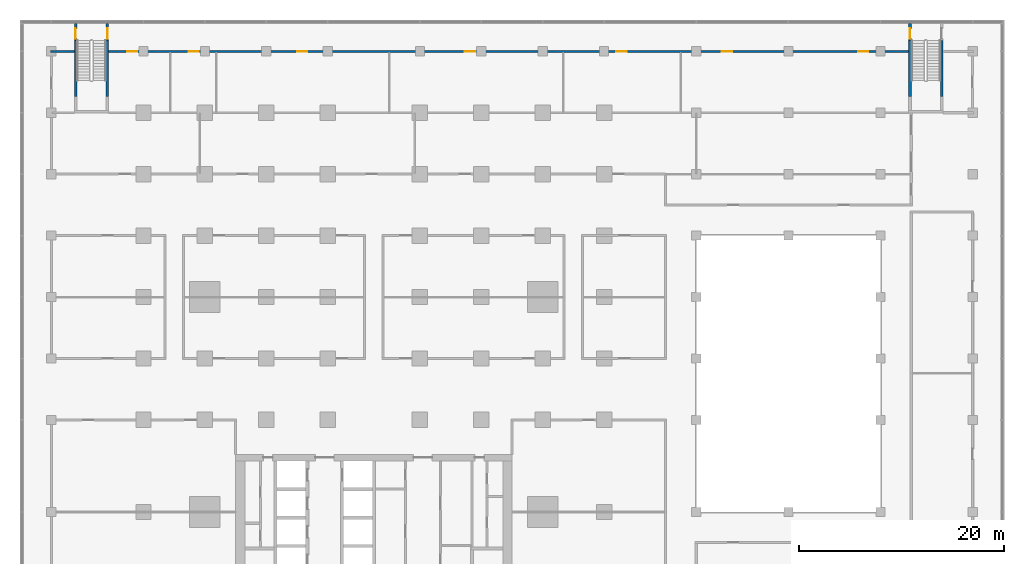
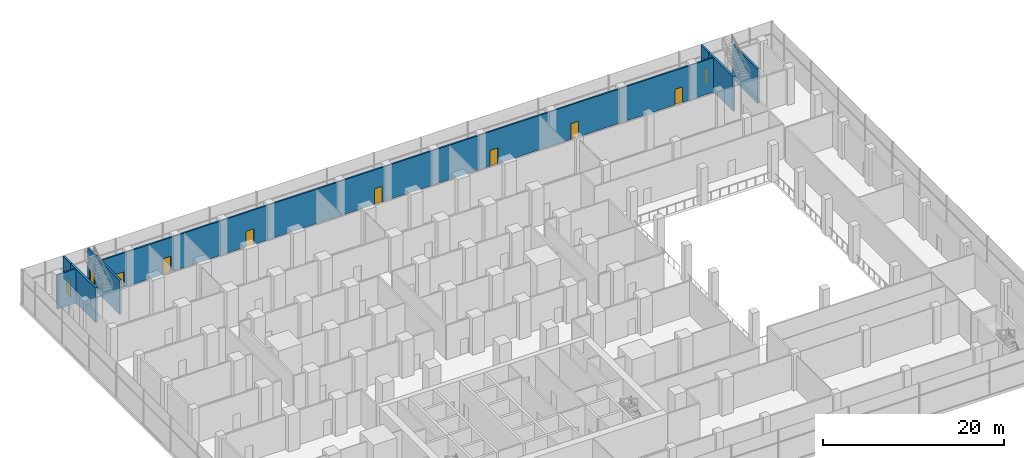
# One storey, part 18 of 22: 10 doors, 9 walls, 10 openings.
"""IFC4 building model written with IfcOpenShell, lengths in metres."""

import ifcopenshell
import ifcopenshell.guid

model = None  # the IFC model being written
_history = None  # IfcOwnerHistory: only IFC2X3 demands one
_inside = {}  # id of a spatial element -> (the spatial element, [elements in it])
_under = {}  # id of a project, library or spatial element -> (it, [spatial elements below it])
_declared = {}  # id of a project -> (the project, [libraries it declares])
_typed = {}  # id of a type object -> (the type object, [elements of that type])
_made_of = {}  # id of a material, layer set ... -> (it, [elements and type objects made of it])


def new_model(schema):
    """Start an empty IFC model of exactly this schema.

    Asked for "IFC4X3", IfcOpenShell would pick the latest addendum, in which some entities
    have other attributes; the version numbers below select the first issue.
    IFC2X3 requires an IfcOwnerHistory on every rooted entity: one is made here for all.
    """
    global model, _history
    if schema == "IFC4X3":
        model = ifcopenshell.file(schema_version=(4, 3, 0, 0))
    else:
        model = ifcopenshell.file(schema=schema)
    _inside.clear()
    _under.clear()
    _declared.clear()
    _typed.clear()
    _made_of.clear()
    _history = None
    if model.schema == "IFC2X3":
        org = make("IfcOrganization", Name="unknown")
        user = make(
            "IfcPersonAndOrganization",
            ThePerson=make("IfcPerson", FamilyName="unknown"),
            TheOrganization=org,
        )
        app = make(
            "IfcApplication",
            ApplicationDeveloper=org,
            Version="unknown",
            ApplicationFullName="unknown",
            ApplicationIdentifier="unknown",
        )
        _history = make(
            "IfcOwnerHistory",
            OwningUser=user,
            OwningApplication=app,
            ChangeAction="ADDED",
            CreationDate=0,
        )
    return model


def make(cls, **values):
    """One entity of the class cls with the attributes given. An attribute that is None is left unset."""
    return model.create_entity(
        cls, **{name: value for name, value in values.items() if value is not None}
    )


def rooted(cls, **values):
    """An entity with a GlobalId (a new one), such as an element, a storey or a relation."""
    return make(cls, GlobalId=ifcopenshell.guid.new(), OwnerHistory=_history, **values)


def si_unit(unit_type, name, prefix=None):
    """IfcSIUnit, for example si_unit("LENGTHUNIT", "METRE", prefix="MILLI")."""
    return make("IfcSIUnit", UnitType=unit_type, Prefix=prefix, Name=name)


def assignment(units):
    """IfcUnitAssignment: the units of a project."""
    return None if units is None else make("IfcUnitAssignment", Units=units)


def point(xyz):
    """IfcCartesianPoint."""
    return None if xyz is None else make("IfcCartesianPoint", Coordinates=xyz)


def direction(xyz):
    """IfcDirection."""
    return None if xyz is None else make("IfcDirection", DirectionRatios=xyz)


def frame(location, z_axis=None, x_axis=None):
    """IfcAxis2Placement3D, a coordinate frame: its origin and axes. An axis left out is left unset."""
    return make(
        "IfcAxis2Placement3D",
        Location=point(location),
        Axis=direction(z_axis),
        RefDirection=direction(x_axis),
    )


def frame_2d(location, x_axis=None):
    """IfcAxis2Placement2D, a coordinate frame in the plane: its origin and x axis."""
    return make(
        "IfcAxis2Placement2D", Location=point(location), RefDirection=direction(x_axis)
    )


def origin():
    """The frame at (0, 0, 0) with its axes left unset."""
    return frame((0.0, 0.0, 0.0))


def place(relative_to, where):
    """IfcLocalPlacement: puts the frame where relative to a parent placement (None: the world)."""
    return make(
        "IfcLocalPlacement", PlacementRelTo=relative_to, RelativePlacement=where
    )


def context(
    kind, dimensions, precision=None, world=None, true_north=None, identifier=None
):
    """IfcGeometricRepresentationContext, for example the 3D "Model" context."""
    return make(
        "IfcGeometricRepresentationContext",
        ContextIdentifier=identifier,
        ContextType=kind,
        CoordinateSpaceDimension=dimensions,
        Precision=precision,
        WorldCoordinateSystem=world,
        TrueNorth=true_north,
    )


def subcontext(parent, identifier, kind, view, scale=None):
    """IfcGeometricRepresentationSubContext, for example "Body" below "Model"."""
    return make(
        "IfcGeometricRepresentationSubContext",
        ContextIdentifier=identifier,
        ContextType=kind,
        ParentContext=parent,
        TargetScale=scale,
        TargetView=view,
    )


def project(units=None, contexts=None):
    """IfcProject with its units and contexts."""
    return rooted(
        "IfcProject",
        Name="project",
        RepresentationContexts=contexts,
        UnitsInContext=assignment(units),
    )


def spatial(cls, under=None, at=None, **own):
    """A site, building, storey or space (cls), placed at a placement, below another one or the project."""
    s = rooted(cls, ObjectPlacement=at, **own)
    if under is not None:
        _under.setdefault(under.id(), (under, []))[1].append(s)
    return s


def profile(cls, at=None, kind="AREA", **sizes):
    """A parametric profile (cls). Its sizes go by their IFC names, for example OverallWidth=200.0."""
    return make(cls, ProfileType=kind, Position=at, **sizes)


def rectangle(**sizes):
    """IfcRectangleProfileDef."""
    return profile("IfcRectangleProfileDef", **sizes)


def extrude(swept, where, along, depth):
    """IfcExtrudedAreaSolid: the profile swept, set in the frame where, extruded along a direction by depth."""
    return make(
        "IfcExtrudedAreaSolid",
        SweptArea=swept,
        Position=where,
        ExtrudedDirection=direction(along),
        Depth=depth,
    )


def shape(context_of_items, identifier, shape_type, items):
    """IfcShapeRepresentation: the items that make up one representation, for example the "Body"."""
    return make(
        "IfcShapeRepresentation",
        ContextOfItems=context_of_items,
        RepresentationIdentifier=identifier,
        RepresentationType=shape_type,
        Items=items,
    )


def material(Name=None, Category=None):
    """IfcMaterial."""
    return make("IfcMaterial", Name=Name, Category=Category)


def layer(
    of_material, thickness, ventilated=None, Name=None, Category=None, Priority=None
):
    """IfcMaterialLayer: one layer of a wall or slab, of a material (None: an air gap)."""
    return make(
        "IfcMaterialLayer",
        Material=of_material,
        LayerThickness=thickness,
        IsVentilated=ventilated,
        Name=Name,
        Category=Category,
        Priority=Priority,
    )


def layer_set(layers, Name=None):
    """IfcMaterialLayerSet."""
    return make("IfcMaterialLayerSet", MaterialLayers=layers, LayerSetName=Name)


def made_of(thing, what):
    """Note that an element or type object is made of a material, layer set ...; save() writes the relation."""
    if what is not None:
        _made_of.setdefault(what.id(), (what, []))[1].append(thing)
    return thing


def type_object(cls, material=None, **own):
    """A type object (cls), such as IfcWallType, which elements share."""
    return made_of(rooted(cls, **own), material)


def element(
    cls,
    number,
    at=None,
    inside=None,
    cuts=None,
    type_object=None,
    material=None,
    context=None,
    identifier="Body",
    shape_type=None,
    held_by="IfcProductDefinitionShape",
    body=None,
    shapes=None,
    **own,
):
    """One element of the class cls, such as IfcWall. Its Tag is "e" and its number.

    at: its placement. inside: the storey or other place that contains it. cuts: it is an
    opening in that element (IfcRelVoidsElement). A single representation is given by context,
    identifier, shape_type and body (its items); several are given by shapes. held_by: the class
    of the entity that holds the representations. save() writes the other relations.
    """
    e = rooted(cls, Tag="e%d" % number, ObjectPlacement=at, **own)
    if body is not None:
        shapes = [shape(context, identifier, shape_type, body)]
    if shapes is not None:
        e.Representation = make(held_by, Representations=shapes)
    if inside is not None:
        _inside.setdefault(inside.id(), (inside, []))[1].append(e)
    if cuts is not None:
        rooted(
            "IfcRelVoidsElement", RelatingBuildingElement=cuts, RelatedOpeningElement=e
        )
    if type_object is not None:
        _typed.setdefault(type_object.id(), (type_object, []))[1].append(e)
    return made_of(e, material)


def fill(opening, filler):
    """IfcRelFillsElement: the door or window that sits in an opening."""
    return rooted(
        "IfcRelFillsElement",
        RelatingOpeningElement=opening,
        RelatedBuildingElement=filler,
    )


def aggregate(whole, parts):
    """IfcRelAggregates: a whole, such as a stair, and the parts it consists of."""
    return rooted("IfcRelAggregates", RelatingObject=whole, RelatedObjects=parts)


def save(model, path):
    """Write the relations noted so far, then the file.

    IfcRelAggregates (storeys below a building ...), IfcRelContainedInSpatialStructure (elements
    in a storey), IfcRelDefinesByType, IfcRelAssociatesMaterial and IfcRelDeclares: one each for
    every whole, place, type object, material and project.
    """
    for whole, parts in _under.values():
        aggregate(whole, parts)
    for where, things in _inside.values():
        rooted(
            "IfcRelContainedInSpatialStructure",
            RelatedElements=things,
            RelatingStructure=where,
        )
    for kind, things in _typed.values():
        rooted("IfcRelDefinesByType", RelatedObjects=things, RelatingType=kind)
    for what, things in _made_of.values():
        rooted("IfcRelAssociatesMaterial", RelatedObjects=things, RelatingMaterial=what)
    for by, libraries in _declared.values():
        rooted("IfcRelDeclares", RelatingContext=by, RelatedDefinitions=libraries)
    model.write(path)


model = new_model("IFC4")

# Units and contexts
model_context = context("Model", 3, precision=1e-05, world=origin(), true_north=direction((0.0, 1.0)))
body_context = subcontext(model_context, "Body", "Model", "MODEL_VIEW")
ifc_project = project(units=[si_unit("LENGTHUNIT", "METRE"), si_unit("AREAUNIT", "SQUARE_METRE"), si_unit("VOLUMEUNIT", "CUBIC_METRE"), si_unit("PLANEANGLEUNIT", "RADIAN"), si_unit("MASSUNIT", "GRAM", prefix="KILO")], contexts=[model_context])

# Site, building, storey
site_placement = place(None, origin())
site = spatial("IfcSite", under=ifc_project, at=site_placement, CompositionType="ELEMENT")
building_placement = place(site_placement, origin())
building = spatial("IfcBuilding", under=site, at=building_placement, Name="Finial Court Residences", CompositionType="ELEMENT")
storey_placement = place(building_placement, frame((0.0, 0.0, 18.5)))
storey = spatial("IfcBuildingStorey", under=building, at=storey_placement, Name="L03", CompositionType="ELEMENT", Elevation=18.5)

# Wall
ifc_material_1 = material(Name="Gypsum board")
ifc_layer_1 = layer(ifc_material_1, 0.02490234375)
ifc_material_2 = material(Name="Acoustic mineral wool in double frame")
ifc_layer_2 = layer(ifc_material_2, 0.14990234375)
ifc_layer_3 = layer(ifc_material_1, 0.02490234375)
ifc_layer_set_1 = layer_set([ifc_layer_1, ifc_layer_2, ifc_layer_3], Name="Corridor wall 200, 1 hour")
wall_type_1 = type_object("IfcWallType", Name="Corridor wall 200, 1 hour", PredefinedType="PARTITIONING", material=ifc_layer_set_1)
wall_1_placement = place(storey_placement, frame((-31.60009765625, 31.5, 0.0), z_axis=(0.0, 0.0, 1.0), x_axis=(1.0, 0.0, 0.0)))
element("IfcWall", 1, at=wall_1_placement, inside=storey, type_object=wall_type_1, Name="Partition L03-037", PredefinedType="PARTITIONING", context=body_context, shape_type="SweptSolid", body=[
    extrude(rectangle(XDim=2.35009765625, YDim=0.199951171875, at=frame_2d((1.175048828125, 0.0))), origin(), (0.0, 0.0, 1.0), 4.64990234375),
])

# Wall, openings, doors
wall_2_placement = place(storey_placement, frame((-25.89990234375, 31.5, 0.0), z_axis=(0.0, 0.0, 1.0), x_axis=(1.0, 0.0, 0.0)))
wall_2 = element("IfcWall", 2, at=wall_2_placement, inside=storey, type_object=wall_type_1, Name="Partition L03-038", PredefinedType="PARTITIONING", context=body_context, shape_type="SweptSolid", body=[
    extrude(rectangle(XDim=78.14990234375, YDim=0.199951171875, at=frame_2d((39.074951171875, 0.0))), origin(), (0.0, 0.0, 1.0), 4.64990234375),
])
opening_1_placement = place(wall_2_placement, frame((1.800048828125, 0.0, 0.0)))
opening_1 = element("IfcOpeningElement", 3, at=opening_1_placement, cuts=wall_2, Name="Opening L03-D035", PredefinedType="OPENING", context=body_context, shape_type="SweptSolid", body=[
    extrude(rectangle(XDim=1.0, YDim=2.10009765625, at=frame_2d((0.5, 1.050048828125))), frame((0.0, 0.10986328125, 0.0), z_axis=(0.0, -1.0, 0.0), x_axis=(1.0, 0.0, 0.0)), (0.0, 0.0, 1.0), 0.219970703125),
])
opening_2_placement = place(wall_2_placement, frame((7.800048828125, 0.0, 0.0)))
opening_2 = element("IfcOpeningElement", 4, at=opening_2_placement, cuts=wall_2, Name="Opening L03-D036", PredefinedType="OPENING", context=body_context, shape_type="SweptSolid", body=[
    extrude(rectangle(XDim=1.0, YDim=2.10009765625, at=frame_2d((0.5, 1.050048828125))), frame((0.0, 0.10986328125, 0.0), z_axis=(0.0, -1.0, 0.0), x_axis=(1.0, 0.0, 0.0)), (0.0, 0.0, 1.0), 0.219970703125),
])
opening_3_placement = place(wall_2_placement, frame((18.39990234375, 0.0, 0.0)))
opening_3 = element("IfcOpeningElement", 5, at=opening_3_placement, cuts=wall_2, Name="Opening L03-D037", PredefinedType="OPENING", context=body_context, shape_type="SweptSolid", body=[
    extrude(rectangle(XDim=1.0, YDim=2.10009765625, at=frame_2d((0.5, 1.050048828125))), frame((0.0, 0.10986328125, 0.0), z_axis=(0.0, -1.0, 0.0), x_axis=(1.0, 0.0, 0.0)), (0.0, 0.0, 1.0), 0.219970703125),
])
opening_4_placement = place(wall_2_placement, frame((34.800048828125, 0.0, 0.0)))
opening_4 = element("IfcOpeningElement", 6, at=opening_4_placement, cuts=wall_2, Name="Opening L03-D038", PredefinedType="OPENING", context=body_context, shape_type="SweptSolid", body=[
    extrude(rectangle(XDim=1.0, YDim=2.10009765625, at=frame_2d((0.5, 1.050048828125))), frame((0.0, 0.10986328125, 0.0), z_axis=(0.0, -1.0, 0.0), x_axis=(1.0, 0.0, 0.0)), (0.0, 0.0, 1.0), 0.219970703125),
])
opening_5_placement = place(wall_2_placement, frame((49.60009765625, 0.0, 0.0)))
opening_5 = element("IfcOpeningElement", 7, at=opening_5_placement, cuts=wall_2, Name="Opening L03-D039", PredefinedType="OPENING", context=body_context, shape_type="SweptSolid", body=[
    extrude(rectangle(XDim=1.0, YDim=2.10009765625, at=frame_2d((0.5, 1.050048828125))), frame((0.0, 0.10986328125, 0.0), z_axis=(0.0, -1.0, 0.0), x_axis=(1.0, 0.0, 0.0)), (0.0, 0.0, 1.0), 0.219970703125),
])
opening_6_placement = place(wall_2_placement, frame((59.89990234375, 0.0, 0.0)))
opening_6 = element("IfcOpeningElement", 8, at=opening_6_placement, cuts=wall_2, Name="Opening L03-D040", PredefinedType="OPENING", context=body_context, shape_type="SweptSolid", body=[
    extrude(rectangle(XDim=1.0, YDim=2.10009765625, at=frame_2d((0.5, 1.050048828125))), frame((0.0, 0.10986328125, 0.0), z_axis=(0.0, -1.0, 0.0), x_axis=(1.0, 0.0, 0.0)), (0.0, 0.0, 1.0), 0.219970703125),
])
opening_7_placement = place(wall_2_placement, frame((73.199951171875, 0.0, 0.0)))
opening_7 = element("IfcOpeningElement", 9, at=opening_7_placement, cuts=wall_2, Name="Opening L03-D041", PredefinedType="OPENING", context=body_context, shape_type="SweptSolid", body=[
    extrude(rectangle(XDim=1.0, YDim=2.10009765625, at=frame_2d((0.5, 1.050048828125))), frame((0.0, 0.10986328125, 0.0), z_axis=(0.0, -1.0, 0.0), x_axis=(1.0, 0.0, 0.0)), (0.0, 0.0, 1.0), 0.219970703125),
])
ifc_material_3 = material(Name="Timber door leaf in hollow metal frame", Category="wood")
door_type_1 = type_object("IfcDoorType", Name="Fire door set 1000 x 2100, 30 minutes", OperationType="SINGLE_SWING_LEFT", PredefinedType="DOOR", material=ifc_material_3)
door_1_placement = place(opening_1_placement, origin())
door_1 = element("IfcDoor", 10, at=door_1_placement, inside=storey, type_object=door_type_1, Name="Door L03-D035", OperationType="SINGLE_SWING_LEFT", OverallHeight=2.10009765625, OverallWidth=1.0, PredefinedType="DOOR", context=body_context, shape_type="SweptSolid", body=[
    extrude(rectangle(XDim=1.0, YDim=2.10009765625, at=frame_2d((0.5, 1.050048828125))), frame((0.0, 0.02490234375, 0.0), z_axis=(0.0, -1.0, 0.0), x_axis=(1.0, 0.0, 0.0)), (0.0, 0.0, 1.0), 0.050048828125),
])
fill(opening_1, door_1)
door_2_placement = place(opening_2_placement, origin())
door_2 = element("IfcDoor", 11, at=door_2_placement, inside=storey, type_object=door_type_1, Name="Door L03-D036", OperationType="SINGLE_SWING_LEFT", OverallHeight=2.10009765625, OverallWidth=1.0, PredefinedType="DOOR", context=body_context, shape_type="SweptSolid", body=[
    extrude(rectangle(XDim=1.0, YDim=2.10009765625, at=frame_2d((0.5, 1.050048828125))), frame((0.0, 0.02490234375, 0.0), z_axis=(0.0, -1.0, 0.0), x_axis=(1.0, 0.0, 0.0)), (0.0, 0.0, 1.0), 0.050048828125),
])
fill(opening_2, door_2)
door_3_placement = place(opening_3_placement, origin())
door_3 = element("IfcDoor", 12, at=door_3_placement, inside=storey, type_object=door_type_1, Name="Door L03-D037", OperationType="SINGLE_SWING_LEFT", OverallHeight=2.10009765625, OverallWidth=1.0, PredefinedType="DOOR", context=body_context, shape_type="SweptSolid", body=[
    extrude(rectangle(XDim=1.0, YDim=2.10009765625, at=frame_2d((0.5, 1.050048828125))), frame((0.0, 0.02490234375, 0.0), z_axis=(0.0, -1.0, 0.0), x_axis=(1.0, 0.0, 0.0)), (0.0, 0.0, 1.0), 0.050048828125),
])
fill(opening_3, door_3)
door_4_placement = place(opening_4_placement, origin())
door_4 = element("IfcDoor", 13, at=door_4_placement, inside=storey, type_object=door_type_1, Name="Door L03-D038", OperationType="SINGLE_SWING_LEFT", OverallHeight=2.10009765625, OverallWidth=1.0, PredefinedType="DOOR", context=body_context, shape_type="SweptSolid", body=[
    extrude(rectangle(XDim=1.0, YDim=2.10009765625, at=frame_2d((0.5, 1.050048828125))), frame((0.0, 0.02490234375, 0.0), z_axis=(0.0, -1.0, 0.0), x_axis=(1.0, 0.0, 0.0)), (0.0, 0.0, 1.0), 0.050048828125),
])
fill(opening_4, door_4)
door_5_placement = place(opening_5_placement, origin())
door_5 = element("IfcDoor", 14, at=door_5_placement, inside=storey, type_object=door_type_1, Name="Door L03-D039", OperationType="SINGLE_SWING_RIGHT", OverallHeight=2.10009765625, OverallWidth=1.0, PredefinedType="DOOR", context=body_context, shape_type="SweptSolid", body=[
    extrude(rectangle(XDim=1.0, YDim=2.10009765625, at=frame_2d((0.5, 1.050048828125))), frame((0.0, 0.02490234375, 0.0), z_axis=(0.0, -1.0, 0.0), x_axis=(1.0, 0.0, 0.0)), (0.0, 0.0, 1.0), 0.050048828125),
])
fill(opening_5, door_5)
door_6_placement = place(opening_6_placement, origin())
door_6 = element("IfcDoor", 15, at=door_6_placement, inside=storey, type_object=door_type_1, Name="Door L03-D040", OperationType="SINGLE_SWING_RIGHT", OverallHeight=2.10009765625, OverallWidth=1.0, PredefinedType="DOOR", context=body_context, shape_type="SweptSolid", body=[
    extrude(rectangle(XDim=1.0, YDim=2.10009765625, at=frame_2d((0.5, 1.050048828125))), frame((0.0, 0.02490234375, 0.0), z_axis=(0.0, -1.0, 0.0), x_axis=(1.0, 0.0, 0.0)), (0.0, 0.0, 1.0), 0.050048828125),
])
fill(opening_6, door_6)
door_7_placement = place(opening_7_placement, origin())
door_7 = element("IfcDoor", 16, at=door_7_placement, inside=storey, type_object=door_type_1, Name="Door L03-D041", OperationType="SINGLE_SWING_RIGHT", OverallHeight=2.10009765625, OverallWidth=1.0, PredefinedType="DOOR", context=body_context, shape_type="SweptSolid", body=[
    extrude(rectangle(XDim=1.0, YDim=2.10009765625, at=frame_2d((0.5, 1.050048828125))), frame((0.0, 0.02490234375, 0.0), z_axis=(0.0, -1.0, 0.0), x_axis=(1.0, 0.0, 0.0)), (0.0, 0.0, 1.0), 0.050048828125),
])
fill(opening_7, door_7)

# Wall, opening, door
ifc_material_4 = material(Name="Concrete C50/60", Category="concrete")
ifc_layer_4 = layer(ifc_material_4, 0.25)
ifc_layer_set_2 = layer_set([ifc_layer_4], Name="Stair enclosure wall 250 Concrete C50/60")
wall_type_2 = type_object("IfcWallType", Name="Stair enclosure wall 250 Concrete C50/60", PredefinedType="SHEAR", material=ifc_layer_set_2)
wall_3_placement = place(storey_placement, frame((52.375, 34.239990234375, 0.0), z_axis=(0.0, 0.0, 1.0), x_axis=(0.0, -1.0, 0.0)))
wall_3 = element("IfcWall", 17, at=wall_3_placement, inside=storey, type_object=wall_type_2, Name="Exit Stair 5 enclosure wall L03-W1", PredefinedType="SHEAR", context=body_context, shape_type="SweptSolid", body=[
    extrude(rectangle(XDim=1.68994140625, YDim=0.25, at=frame_2d((0.844970703125, 0.0))), origin(), (0.0, 0.0, 1.0), 4.64990234375),
])
opening_8_placement = place(wall_3_placement, frame((0.489990234375, 0.0, 0.0)))
opening_8 = element("IfcOpeningElement", 18, at=opening_8_placement, cuts=wall_3, Name="Opening L03-S5", PredefinedType="OPENING", context=body_context, shape_type="SweptSolid", body=[
    extrude(rectangle(XDim=1.0, YDim=2.10009765625, at=frame_2d((0.5, 1.050048828125))), frame((0.0, 0.135009765625, 0.0), z_axis=(0.0, -1.0, 0.0), x_axis=(1.0, 0.0, 0.0)), (0.0, 0.0, 1.0), 0.27001953125),
])
ifc_material_5 = material(Name="Steel fire door", Category="steel")
door_type_2 = type_object("IfcDoorType", Name="Stair door 1000 x 2100 EI 90", OperationType="NOTDEFINED", PredefinedType="DOOR", material=ifc_material_5)
door_8_placement = place(opening_8_placement, origin())
door_8 = element("IfcDoor", 19, at=door_8_placement, inside=storey, type_object=door_type_2, Name="Exit Stair 5 door L03", OperationType="SINGLE_SWING_LEFT", OverallHeight=2.10009765625, OverallWidth=1.0, PredefinedType="DOOR", context=body_context, shape_type="SweptSolid", body=[
    extrude(rectangle(XDim=1.0, YDim=2.10009765625, at=frame_2d((0.5, 1.050048828125))), frame((0.0, 0.02490234375, 0.0), z_axis=(0.0, -1.0, 0.0), x_axis=(1.0, 0.0, 0.0)), (0.0, 0.0, 1.0), 0.050048828125),
])
fill(opening_8, door_8)

# Walls
for number, where, z_axis, x_axis, name in (
    (20, (52.375, 27.070068359375, 0.0), (0.0, 0.0, 1.0), (0.0, 1.0, 0.0), "Exit Stair 5 enclosure wall L03-W2"),
    (21, (55.47509765625, 27.070068359375, 0.0), (0.0, 0.0, 1.0), (0.0, 1.0, 0.0), "Exit Stair 5 enclosure wall L03-E2"),
):
    element("IfcWall", number, at=place(storey_placement, frame(where, z_axis=z_axis, x_axis=x_axis)), inside=storey, type_object=wall_type_2, Name=name, PredefinedType="SHEAR", context=body_context, shape_type="SweptSolid", body=[
        extrude(rectangle(XDim=5.47998046875, YDim=0.25, at=frame_2d((2.739990234375, 0.0))), origin(), (0.0, 0.0, 1.0), 4.64990234375),
    ])

# Wall, opening, door
wall_4_placement = place(storey_placement, frame((-29.125, 34.239990234375, 0.0), z_axis=(0.0, 0.0, 1.0), x_axis=(0.0, -1.0, 0.0)))
wall_4 = element("IfcWall", 22, at=wall_4_placement, inside=storey, type_object=wall_type_2, Name="Exit Stair 6 enclosure wall L03-W1", PredefinedType="SHEAR", context=body_context, shape_type="SweptSolid", body=[
    extrude(rectangle(XDim=1.68994140625, YDim=0.25, at=frame_2d((0.844970703125, 0.0))), origin(), (0.0, 0.0, 1.0), 4.64990234375),
])
opening_9_placement = place(wall_4_placement, frame((0.489990234375, 0.0, 0.0)))
opening_9 = element("IfcOpeningElement", 23, at=opening_9_placement, cuts=wall_4, Name="Opening L03-S6", PredefinedType="OPENING", context=body_context, shape_type="SweptSolid", body=[
    extrude(rectangle(XDim=1.0, YDim=2.10009765625, at=frame_2d((0.5, 1.050048828125))), frame((0.0, 0.135009765625, 0.0), z_axis=(0.0, -1.0, 0.0), x_axis=(1.0, 0.0, 0.0)), (0.0, 0.0, 1.0), 0.27001953125),
])
door_9_placement = place(opening_9_placement, origin())
door_9 = element("IfcDoor", 24, at=door_9_placement, inside=storey, type_object=door_type_2, Name="Exit Stair 6 door L03", OperationType="SINGLE_SWING_LEFT", OverallHeight=2.10009765625, OverallWidth=1.0, PredefinedType="DOOR", context=body_context, shape_type="SweptSolid", body=[
    extrude(rectangle(XDim=1.0, YDim=2.10009765625, at=frame_2d((0.5, 1.050048828125))), frame((0.0, 0.02490234375, 0.0), z_axis=(0.0, -1.0, 0.0), x_axis=(1.0, 0.0, 0.0)), (0.0, 0.0, 1.0), 0.050048828125),
])
fill(opening_9, door_9)

# Wall
wall_5_placement = place(storey_placement, frame((-29.125, 27.070068359375, 0.0), z_axis=(0.0, 0.0, 1.0), x_axis=(0.0, 1.0, 0.0)))
element("IfcWall", 25, at=wall_5_placement, inside=storey, type_object=wall_type_2, Name="Exit Stair 6 enclosure wall L03-W2", PredefinedType="SHEAR", context=body_context, shape_type="SweptSolid", body=[
    extrude(rectangle(XDim=5.47998046875, YDim=0.25, at=frame_2d((2.739990234375, 0.0))), origin(), (0.0, 0.0, 1.0), 4.64990234375),
])

# Wall, opening, door
wall_6_placement = place(storey_placement, frame((-26.02490234375, 32.550048828125, 0.0), z_axis=(0.0, 0.0, 1.0), x_axis=(0.0, 1.0, 0.0)))
wall_6 = element("IfcWall", 26, at=wall_6_placement, inside=storey, type_object=wall_type_2, Name="Exit Stair 6 enclosure wall L03-E1", PredefinedType="SHEAR", context=body_context, shape_type="SweptSolid", body=[
    extrude(rectangle(XDim=1.68994140625, YDim=0.25, at=frame_2d((0.844970703125, 0.0))), origin(), (0.0, 0.0, 1.0), 4.64990234375),
])
opening_10_placement = place(wall_6_placement, frame((0.199951171875, 0.0, 0.0)))
opening_10 = element("IfcOpeningElement", 27, at=opening_10_placement, cuts=wall_6, Name="Opening L03-S6E", PredefinedType="OPENING", context=body_context, shape_type="SweptSolid", body=[
    extrude(rectangle(XDim=1.0, YDim=2.10009765625, at=frame_2d((0.5, 1.050048828125))), frame((0.0, 0.135009765625, 0.0), z_axis=(0.0, -1.0, 0.0), x_axis=(1.0, 0.0, 0.0)), (0.0, 0.0, 1.0), 0.27001953125),
])
door_10_placement = place(opening_10_placement, origin())
door_10 = element("IfcDoor", 28, at=door_10_placement, inside=storey, type_object=door_type_2, Name="Exit Stair 6 east door L03", OperationType="SINGLE_SWING_RIGHT", OverallHeight=2.10009765625, OverallWidth=1.0, PredefinedType="DOOR", context=body_context, shape_type="SweptSolid", body=[
    extrude(rectangle(XDim=1.0, YDim=2.10009765625, at=frame_2d((0.5, 1.050048828125))), frame((0.0, 0.02490234375, 0.0), z_axis=(0.0, -1.0, 0.0), x_axis=(1.0, 0.0, 0.0)), (0.0, 0.0, 1.0), 0.050048828125),
])
fill(opening_10, door_10)

# Wall
wall_7_placement = place(storey_placement, frame((-26.02490234375, 27.070068359375, 0.0), z_axis=(0.0, 0.0, 1.0), x_axis=(0.0, 1.0, 0.0)))
element("IfcWall", 29, at=wall_7_placement, inside=storey, type_object=wall_type_2, Name="Exit Stair 6 enclosure wall L03-E2", PredefinedType="SHEAR", context=body_context, shape_type="SweptSolid", body=[
    extrude(rectangle(XDim=5.47998046875, YDim=0.25, at=frame_2d((2.739990234375, 0.0))), origin(), (0.0, 0.0, 1.0), 4.64990234375),
])

save(model, "model.ifc")
